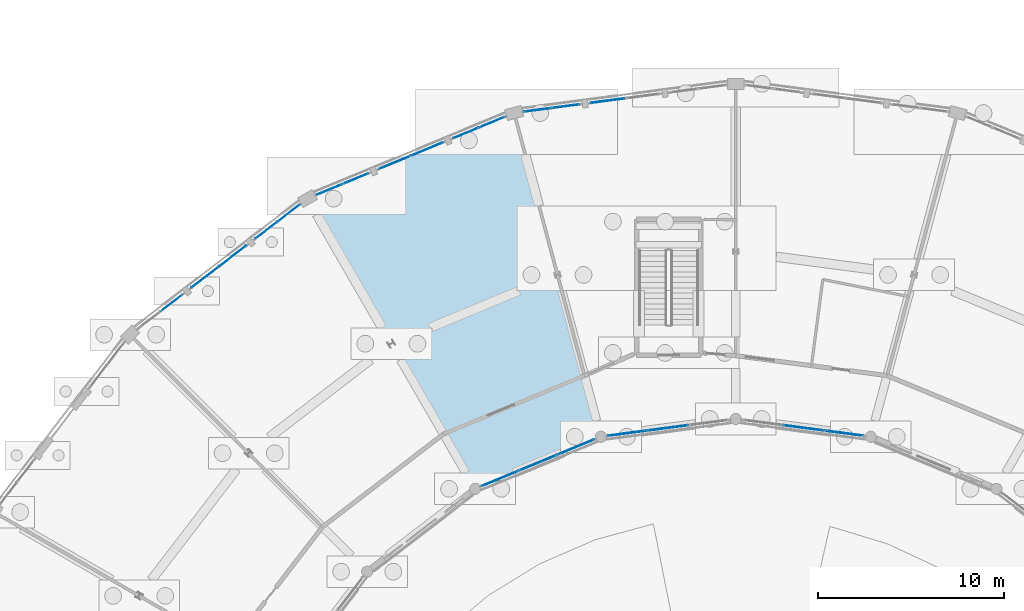
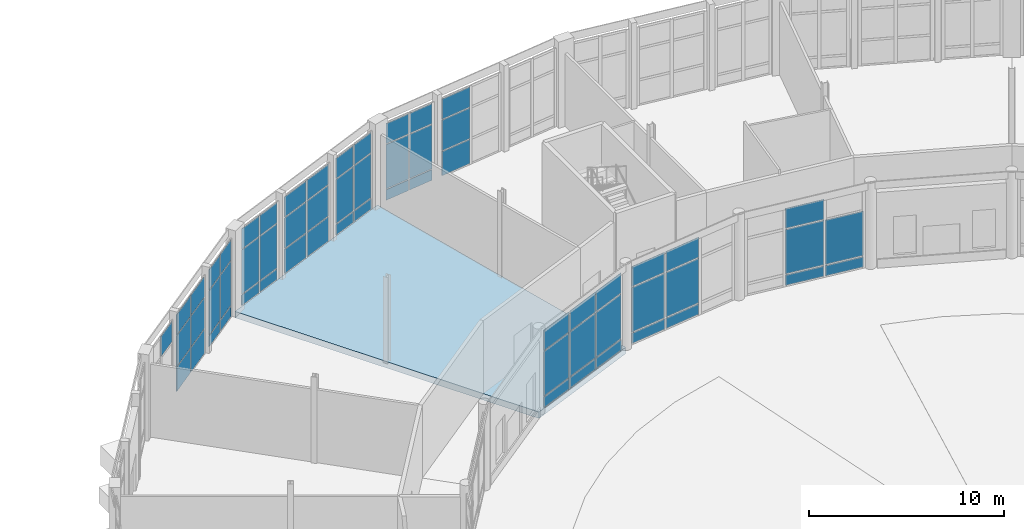
# One storey, part 90 of 137: 60 plates, 1 slab, 11 elements without a shape of their own.
"""IFC4 building model written with IfcOpenShell, lengths in metres."""

from ifc_helpers import new_model, si_unit, direction, frame, origin, origin_2d, place, context, subcontext, project, spatial, polyline, rectangle, outline, extrude, material, layer, layer_set, type_object, element, aggregate, save


model = new_model("IFC4")

# Units and contexts
model_context = context("Model", 3, precision=1e-05, world=origin(), true_north=direction((0.0, 1.0)))
body_context = subcontext(model_context, "Body", "Model", "MODEL_VIEW")
ifc_project = project(units=[si_unit("LENGTHUNIT", "METRE"), si_unit("AREAUNIT", "SQUARE_METRE"), si_unit("VOLUMEUNIT", "CUBIC_METRE"), si_unit("PLANEANGLEUNIT", "RADIAN"), si_unit("MASSUNIT", "GRAM", prefix="KILO")], contexts=[model_context])

# Site, building, storey
site_placement = place(None, origin())
site = spatial("IfcSite", under=ifc_project, at=site_placement, CompositionType="ELEMENT")
building_placement = place(site_placement, origin())
building = spatial("IfcBuilding", under=site, at=building_placement, Name="Vondelvale Polytechnic", CompositionType="ELEMENT")
storey_placement = place(building_placement, origin())
storey = spatial("IfcBuildingStorey", under=building, at=storey_placement, Name="L00", CompositionType="ELEMENT", Elevation=0.0)

# Curtain wall, plates
ifc_material_1 = material(Name="Anodised extruded aluminium 6063-T6", Category="aluminium")
curtain_wall_type_1 = type_object("IfcCurtainWallType", Name="CW-RING-CLOISTER", PredefinedType="NOTDEFINED", material=ifc_material_1)
curtain_wall_1_placement = place(storey_placement, origin())
curtain_wall_1 = element("IfcCurtainWall", 1, at=curtain_wall_1_placement, inside=storey, type_object=curtain_wall_type_1, Name="L00 architectural curtain wall CW-03-131", PredefinedType="NOTDEFINED")
ifc_material_2 = material(Name="Double-glazed low-E insulated architectural glass", Category="glass")
ifc_layer_1 = layer(ifc_material_2, 0.028076171875)
ifc_layer_set_1 = layer_set([ifc_layer_1], Name="CW-PANEL-GLAZED")
plate_type_1 = type_object("IfcPlateType", Name="CW-PANEL-GLAZED", PredefinedType="CURTAIN_PANEL", material=ifc_layer_set_1)
plate_1_placement = place(storey_placement, frame((107.804443359375, 99.23583984375, 0.78271484375), z_axis=(0.0, 0.0, 1.0), x_axis=(-0.99144462243, 0.130528007165, 0.0)))
plate_1 = element("IfcPlate", 2, at=plate_1_placement, type_object=plate_type_1, Name="CW-03-131 panel 1.2", PredefinedType="CURTAIN_PANEL", context=body_context, shape_type="SweptSolid", body=[
    extrude(rectangle(XDim=2.1123046875, YDim=0.028076171875, at=origin_2d()), origin(), (0.0, 0.0, 1.0), 2.784912109375),
])
plate_2_placement = place(storey_placement, frame((105.62353515625, 99.52294921875, 0.78271484375), z_axis=(0.0, 0.0, 1.0), x_axis=(-0.99144462243, 0.130528007165, 0.0)))
plate_2 = element("IfcPlate", 3, at=plate_2_placement, type_object=plate_type_1, Name="CW-03-131 panel 2.2", PredefinedType="CURTAIN_PANEL", context=body_context, shape_type="SweptSolid", body=[
    extrude(rectangle(XDim=2.1474609375, YDim=0.028076171875, at=origin_2d()), origin(), (0.0, 0.0, 1.0), 2.784912109375),
])
plate_3_placement = place(storey_placement, frame((105.62353515625, 99.52294921875, 3.632568359375), z_axis=(0.0, 0.0, 1.0), x_axis=(-0.99144462243, 0.130528007165, 0.0)))
plate_3 = element("IfcPlate", 4, at=plate_3_placement, type_object=plate_type_1, Name="CW-03-131 panel 2.3", PredefinedType="CURTAIN_PANEL", context=body_context, shape_type="SweptSolid", body=[
    extrude(rectangle(XDim=2.1474609375, YDim=0.028076171875, at=origin_2d()), origin(), (0.0, 0.0, 1.0), 1.25244140625),
])

curtain_wall_2_placement = place(storey_placement, origin())
curtain_wall_2 = element("IfcCurtainWall", 5, at=curtain_wall_2_placement, inside=storey, type_object=curtain_wall_type_1, Name="L00 architectural curtain wall CW-03-151", PredefinedType="NOTDEFINED")
plate_4_placement = place(storey_placement, frame((98.37646484375, 99.52294921875, 0.78271484375), z_axis=(0.0, 0.0, 1.0), x_axis=(-0.99144462243, -0.130528007165, 0.0)))
plate_4 = element("IfcPlate", 6, at=plate_4_placement, type_object=plate_type_1, Name="CW-03-151 panel 2.2", PredefinedType="CURTAIN_PANEL", context=body_context, shape_type="SweptSolid", body=[
    extrude(rectangle(XDim=2.1474609375, YDim=0.028076171875, at=origin_2d()), origin(), (0.0, 0.0, 1.0), 2.784912109375),
])
plate_5_placement = place(storey_placement, frame((98.37646484375, 99.52294921875, 3.632568359375), z_axis=(0.0, 0.0, 1.0), x_axis=(-0.99144462243, -0.130528007165, 0.0)))
plate_5 = element("IfcPlate", 7, at=plate_5_placement, type_object=plate_type_1, Name="CW-03-151 panel 2.3", PredefinedType="CURTAIN_PANEL", context=body_context, shape_type="SweptSolid", body=[
    extrude(rectangle(XDim=2.1474609375, YDim=0.028076171875, at=origin_2d()), origin(), (0.0, 0.0, 1.0), 1.25244140625),
])
plate_6_placement = place(storey_placement, frame((96.195556640625, 99.23583984375, 0.78271484375), z_axis=(0.0, 0.0, 1.0), x_axis=(-0.99144462243, -0.130528007165, 0.0)))
plate_6 = element("IfcPlate", 8, at=plate_6_placement, type_object=plate_type_1, Name="CW-03-151 panel 3.2", PredefinedType="CURTAIN_PANEL", context=body_context, shape_type="SweptSolid", body=[
    extrude(rectangle(XDim=2.1123046875, YDim=0.028076171875, at=origin_2d()), origin(), (0.0, 0.0, 1.0), 2.784912109375),
])
plate_7_placement = place(storey_placement, frame((96.195556640625, 99.23583984375, 3.632568359375), z_axis=(0.0, 0.0, 1.0), x_axis=(-0.99144462243, -0.130528007165, 0.0)))
plate_7 = element("IfcPlate", 9, at=plate_7_placement, type_object=plate_type_1, Name="CW-03-151 panel 3.3", PredefinedType="CURTAIN_PANEL", context=body_context, shape_type="SweptSolid", body=[
    extrude(rectangle(XDim=2.1123046875, YDim=0.028076171875, at=origin_2d()), origin(), (0.0, 0.0, 1.0), 1.25244140625),
])

ifc_material_3 = material(Name="Glulam GL18 structural Tasmanian oak (fb = 42 MPa)", Category="wood")
curtain_wall_type_2 = type_object("IfcCurtainWallType", Name="CW-RING-OUTER", PredefinedType="NOTDEFINED", material=ifc_material_3)
curtain_wall_3_placement = place(storey_placement, origin())
curtain_wall_3 = element("IfcCurtainWall", 10, at=curtain_wall_3_placement, inside=storey, type_object=curtain_wall_type_2, Name="L00 architectural curtain wall CW-04-154", PredefinedType="NOTDEFINED")
plate_8_placement = place(storey_placement, frame((92.865966796875, 116.797607421875, 0.77978515625), z_axis=(0.0, 0.0, 1.0), x_axis=(-0.991445190781, -0.130523690099, 0.0)))
plate_8 = element("IfcPlate", 11, at=plate_8_placement, type_object=plate_type_1, Name="CW-04-154 panel 1.2", PredefinedType="CURTAIN_PANEL", context=body_context, shape_type="SweptSolid", body=[
    extrude(rectangle(XDim=1.454345703125, YDim=0.028076171875, at=origin_2d()), origin(), (0.0, 0.0, 1.0), 2.760009765625),
])
plate_9_placement = place(storey_placement, frame((92.865966796875, 116.797607421875, 3.60009765625), z_axis=(0.0, 0.0, 1.0), x_axis=(-0.991445190781, -0.130523690099, 0.0)))
plate_9 = element("IfcPlate", 12, at=plate_9_placement, type_object=plate_type_1, Name="CW-04-154 panel 1.3", PredefinedType="CURTAIN_PANEL", context=body_context, shape_type="SweptSolid", body=[
    extrude(rectangle(XDim=1.454345703125, YDim=0.028076171875, at=origin_2d()), origin(), (0.0, 0.0, 1.0), 1.260009765625),
])
plate_10_placement = place(storey_placement, frame((91.359619140625, 116.59912109375, 0.77978515625), z_axis=(0.0, 0.0, 1.0), x_axis=(-0.991445190781, -0.130523690099, 0.0)))
plate_10 = element("IfcPlate", 13, at=plate_10_placement, type_object=plate_type_1, Name="CW-04-154 panel 2.2", PredefinedType="CURTAIN_PANEL", context=body_context, shape_type="SweptSolid", body=[
    extrude(rectangle(XDim=1.454345703125, YDim=0.028076171875, at=origin_2d()), origin(), (0.0, 0.0, 1.0), 2.760009765625),
])
plate_11_placement = place(storey_placement, frame((91.359619140625, 116.59912109375, 3.60009765625), z_axis=(0.0, 0.0, 1.0), x_axis=(-0.991445190781, -0.130523690099, 0.0)))
plate_11 = element("IfcPlate", 14, at=plate_11_placement, type_object=plate_type_1, Name="CW-04-154 panel 2.3", PredefinedType="CURTAIN_PANEL", context=body_context, shape_type="SweptSolid", body=[
    extrude(rectangle(XDim=1.454345703125, YDim=0.028076171875, at=origin_2d()), origin(), (0.0, 0.0, 1.0), 1.260009765625),
])

curtain_wall_4_placement = place(storey_placement, origin())
curtain_wall_4 = element("IfcCurtainWall", 15, at=curtain_wall_4_placement, inside=storey, type_object=curtain_wall_type_1, Name="L00 architectural curtain wall CW-03-171", PredefinedType="NOTDEFINED")
plate_12_placement = place(storey_placement, frame((93.408203125, 98.48876953125, 0.78271484375), z_axis=(0.0, 0.0, 1.0), x_axis=(-0.923881562419, -0.382678531697, 0.0)))
plate_12 = element("IfcPlate", 16, at=plate_12_placement, type_object=plate_type_1, Name="CW-03-171 panel 1.2", PredefinedType="CURTAIN_PANEL", context=body_context, shape_type="SweptSolid", body=[
    extrude(rectangle(XDim=2.111572265625, YDim=0.028076171875, at=origin_2d()), origin(), (0.0, 0.0, 1.0), 2.784912109375),
])
plate_13_placement = place(storey_placement, frame((93.408203125, 98.48876953125, 3.632568359375), z_axis=(0.0, 0.0, 1.0), x_axis=(-0.923881562419, -0.382678531697, 0.0)))
plate_13 = element("IfcPlate", 17, at=plate_13_placement, type_object=plate_type_1, Name="CW-03-171 panel 1.3", PredefinedType="CURTAIN_PANEL", context=body_context, shape_type="SweptSolid", body=[
    extrude(rectangle(XDim=2.111572265625, YDim=0.028076171875, at=origin_2d()), origin(), (0.0, 0.0, 1.0), 1.25244140625),
])
plate_14_placement = place(storey_placement, frame((91.37646484375, 97.647216796875, 0.78271484375), z_axis=(0.0, 0.0, 1.0), x_axis=(-0.923881562419, -0.382678531697, 0.0)))
plate_14 = element("IfcPlate", 18, at=plate_14_placement, type_object=plate_type_1, Name="CW-03-171 panel 2.2", PredefinedType="CURTAIN_PANEL", context=body_context, shape_type="SweptSolid", body=[
    extrude(rectangle(XDim=2.146484375, YDim=0.028076171875, at=origin_2d()), origin(), (0.0, 0.0, 1.0), 2.784912109375),
])
plate_15_placement = place(storey_placement, frame((91.37646484375, 97.647216796875, 3.632568359375), z_axis=(0.0, 0.0, 1.0), x_axis=(-0.923881562419, -0.382678531697, 0.0)))
plate_15 = element("IfcPlate", 19, at=plate_15_placement, type_object=plate_type_1, Name="CW-03-171 panel 2.3", PredefinedType="CURTAIN_PANEL", context=body_context, shape_type="SweptSolid", body=[
    extrude(rectangle(XDim=2.146484375, YDim=0.028076171875, at=origin_2d()), origin(), (0.0, 0.0, 1.0), 1.25244140625),
])
plate_16_placement = place(storey_placement, frame((89.344970703125, 96.805908203125, 0.78271484375), z_axis=(0.0, 0.0, 1.0), x_axis=(-0.923881562419, -0.382678531697, 0.0)))
plate_16 = element("IfcPlate", 20, at=plate_16_placement, type_object=plate_type_1, Name="CW-03-171 panel 3.2", PredefinedType="CURTAIN_PANEL", context=body_context, shape_type="SweptSolid", body=[
    extrude(rectangle(XDim=2.111572265625, YDim=0.028076171875, at=origin_2d()), origin(), (0.0, 0.0, 1.0), 2.784912109375),
])
plate_17_placement = place(storey_placement, frame((89.344970703125, 96.805908203125, 3.632568359375), z_axis=(0.0, 0.0, 1.0), x_axis=(-0.923881562419, -0.382678531697, 0.0)))
plate_17 = element("IfcPlate", 21, at=plate_17_placement, type_object=plate_type_1, Name="CW-03-171 panel 3.3", PredefinedType="CURTAIN_PANEL", context=body_context, shape_type="SweptSolid", body=[
    extrude(rectangle(XDim=2.111572265625, YDim=0.028076171875, at=origin_2d()), origin(), (0.0, 0.0, 1.0), 1.25244140625),
])

curtain_wall_5_placement = place(storey_placement, origin())
curtain_wall_5 = element("IfcCurtainWall", 22, at=curtain_wall_5_placement, inside=storey, type_object=curtain_wall_type_2, Name="L00 architectural curtain wall CW-04-172", PredefinedType="NOTDEFINED")
plate_18_placement = place(storey_placement, frame((88.915283203125, 115.9443359375, 0.77978515625), z_axis=(0.0, 0.0, 1.0), x_axis=(-0.92388135159, -0.382679040691, 0.0)))
plate_18 = element("IfcPlate", 23, at=plate_18_placement, type_object=plate_type_1, Name="CW-04-172 panel 1.2", PredefinedType="CURTAIN_PANEL", context=body_context, shape_type="SweptSolid", body=[
    extrude(rectangle(XDim=1.454345703125, YDim=0.028076171875, at=origin_2d()), origin(), (0.0, 0.0, 1.0), 2.760009765625),
])
plate_19_placement = place(storey_placement, frame((88.915283203125, 115.9443359375, 3.60009765625), z_axis=(0.0, 0.0, 1.0), x_axis=(-0.92388135159, -0.382679040691, 0.0)))
plate_19 = element("IfcPlate", 24, at=plate_19_placement, type_object=plate_type_1, Name="CW-04-172 panel 1.3", PredefinedType="CURTAIN_PANEL", context=body_context, shape_type="SweptSolid", body=[
    extrude(rectangle(XDim=1.454345703125, YDim=0.028076171875, at=origin_2d()), origin(), (0.0, 0.0, 1.0), 1.260009765625),
])
plate_20_placement = place(storey_placement, frame((87.511474609375, 115.36279296875, 0.77978515625), z_axis=(0.0, 0.0, 1.0), x_axis=(-0.92388135159, -0.382679040691, 0.0)))
plate_20 = element("IfcPlate", 25, at=plate_20_placement, type_object=plate_type_1, Name="CW-04-172 panel 2.2", PredefinedType="CURTAIN_PANEL", context=body_context, shape_type="SweptSolid", body=[
    extrude(rectangle(XDim=1.454345703125, YDim=0.028076171875, at=origin_2d()), origin(), (0.0, 0.0, 1.0), 2.760009765625),
])
plate_21_placement = place(storey_placement, frame((87.511474609375, 115.36279296875, 3.60009765625), z_axis=(0.0, 0.0, 1.0), x_axis=(-0.92388135159, -0.382679040691, 0.0)))
plate_21 = element("IfcPlate", 26, at=plate_21_placement, type_object=plate_type_1, Name="CW-04-172 panel 2.3", PredefinedType="CURTAIN_PANEL", context=body_context, shape_type="SweptSolid", body=[
    extrude(rectangle(XDim=1.454345703125, YDim=0.028076171875, at=origin_2d()), origin(), (0.0, 0.0, 1.0), 1.260009765625),
])

curtain_wall_6_placement = place(storey_placement, origin())
curtain_wall_6 = element("IfcCurtainWall", 27, at=curtain_wall_6_placement, inside=storey, type_object=curtain_wall_type_2, Name="L00 architectural curtain wall CW-04-173", PredefinedType="NOTDEFINED")
plate_22_placement = place(storey_placement, frame((85.412841796875, 114.493408203125, 1.6298828125), z_axis=(0.0, 0.0, 1.0), x_axis=(-0.92387490701, -0.382694599123, 0.0)))
plate_22 = element("IfcPlate", 28, at=plate_22_placement, type_object=plate_type_1, Name="CW-04-173 panel 1.2", PredefinedType="CURTAIN_PANEL", context=body_context, shape_type="SweptSolid", body=[
    extrude(rectangle(XDim=1.80908203125, YDim=0.028076171875, at=origin_2d()), origin(), (0.0, 0.0, 1.0), 1.909912109375),
])
plate_23_placement = place(storey_placement, frame((85.412841796875, 114.493408203125, 3.60009765625), z_axis=(0.0, 0.0, 1.0), x_axis=(-0.92387490701, -0.382694599123, 0.0)))
plate_23 = element("IfcPlate", 29, at=plate_23_placement, type_object=plate_type_1, Name="CW-04-173 panel 1.3", PredefinedType="CURTAIN_PANEL", context=body_context, shape_type="SweptSolid", body=[
    extrude(rectangle(XDim=1.80908203125, YDim=0.028076171875, at=origin_2d()), origin(), (0.0, 0.0, 1.0), 1.260009765625),
])
plate_24_placement = place(storey_placement, frame((83.681396484375, 113.7763671875, 1.6298828125), z_axis=(0.0, 0.0, 1.0), x_axis=(-0.92387490701, -0.382694599123, 0.0)))
plate_24 = element("IfcPlate", 30, at=plate_24_placement, type_object=plate_type_1, Name="CW-04-173 panel 2.2", PredefinedType="CURTAIN_PANEL", context=body_context, shape_type="SweptSolid", body=[
    extrude(rectangle(XDim=1.80908203125, YDim=0.028076171875, at=origin_2d()), origin(), (0.0, 0.0, 1.0), 1.909912109375),
])
plate_25_placement = place(storey_placement, frame((83.681396484375, 113.7763671875, 3.60009765625), z_axis=(0.0, 0.0, 1.0), x_axis=(-0.92387490701, -0.382694599123, 0.0)))
plate_25 = element("IfcPlate", 31, at=plate_25_placement, type_object=plate_type_1, Name="CW-04-173 panel 2.3", PredefinedType="CURTAIN_PANEL", context=body_context, shape_type="SweptSolid", body=[
    extrude(rectangle(XDim=1.80908203125, YDim=0.028076171875, at=origin_2d()), origin(), (0.0, 0.0, 1.0), 1.260009765625),
])

curtain_wall_7_placement = place(storey_placement, origin())
curtain_wall_7 = element("IfcCurtainWall", 32, at=curtain_wall_7_placement, inside=storey, type_object=curtain_wall_type_2, Name="L00 architectural curtain wall CW-04-174", PredefinedType="NOTDEFINED")
plate_26_placement = place(storey_placement, frame((81.582763671875, 112.906982421875, 0.77978515625), z_axis=(0.0, 0.0, 1.0), x_axis=(-0.92388135159, -0.382679040691, 0.0)))
plate_26 = element("IfcPlate", 33, at=plate_26_placement, type_object=plate_type_1, Name="CW-04-174 panel 1.2", PredefinedType="CURTAIN_PANEL", context=body_context, shape_type="SweptSolid", body=[
    extrude(rectangle(XDim=1.454345703125, YDim=0.028076171875, at=origin_2d()), origin(), (0.0, 0.0, 1.0), 2.760009765625),
])
plate_27_placement = place(storey_placement, frame((81.582763671875, 112.906982421875, 3.60009765625), z_axis=(0.0, 0.0, 1.0), x_axis=(-0.92388135159, -0.382679040691, 0.0)))
plate_27 = element("IfcPlate", 34, at=plate_27_placement, type_object=plate_type_1, Name="CW-04-174 panel 1.3", PredefinedType="CURTAIN_PANEL", context=body_context, shape_type="SweptSolid", body=[
    extrude(rectangle(XDim=1.454345703125, YDim=0.028076171875, at=origin_2d()), origin(), (0.0, 0.0, 1.0), 1.260009765625),
])
plate_28_placement = place(storey_placement, frame((80.178955078125, 112.325439453125, 0.77978515625), z_axis=(0.0, 0.0, 1.0), x_axis=(-0.92388135159, -0.382679040691, 0.0)))
plate_28 = element("IfcPlate", 35, at=plate_28_placement, type_object=plate_type_1, Name="CW-04-174 panel 2.2", PredefinedType="CURTAIN_PANEL", context=body_context, shape_type="SweptSolid", body=[
    extrude(rectangle(XDim=1.454345703125, YDim=0.028076171875, at=origin_2d()), origin(), (0.0, 0.0, 1.0), 2.760009765625),
])
plate_29_placement = place(storey_placement, frame((80.178955078125, 112.325439453125, 3.60009765625), z_axis=(0.0, 0.0, 1.0), x_axis=(-0.92388135159, -0.382679040691, 0.0)))
plate_29 = element("IfcPlate", 36, at=plate_29_placement, type_object=plate_type_1, Name="CW-04-174 panel 2.3", PredefinedType="CURTAIN_PANEL", context=body_context, shape_type="SweptSolid", body=[
    extrude(rectangle(XDim=1.454345703125, YDim=0.028076171875, at=origin_2d()), origin(), (0.0, 0.0, 1.0), 1.260009765625),
])

curtain_wall_8_placement = place(storey_placement, origin())
curtain_wall_8 = element("IfcCurtainWall", 37, at=curtain_wall_8_placement, inside=storey, type_object=curtain_wall_type_2, Name="L00 architectural curtain wall CW-04-191", PredefinedType="NOTDEFINED")
plate_30_placement = place(storey_placement, frame((77.987548828125, 111.060302734375, 0.77978515625), z_axis=(0.0, 0.0, 1.0), x_axis=(-0.793351666305, -0.608763610584, 0.0)))
plate_30 = element("IfcPlate", 38, at=plate_30_placement, type_object=plate_type_1, Name="CW-04-191 panel 1.2", PredefinedType="CURTAIN_PANEL", context=body_context, shape_type="SweptSolid", body=[
    extrude(rectangle(XDim=1.454345703125, YDim=0.028076171875, at=origin_2d()), origin(), (0.0, 0.0, 1.0), 2.760009765625),
])
plate_31_placement = place(storey_placement, frame((77.987548828125, 111.060302734375, 3.60009765625), z_axis=(0.0, 0.0, 1.0), x_axis=(-0.793351666305, -0.608763610584, 0.0)))
plate_31 = element("IfcPlate", 39, at=plate_31_placement, type_object=plate_type_1, Name="CW-04-191 panel 1.3", PredefinedType="CURTAIN_PANEL", context=body_context, shape_type="SweptSolid", body=[
    extrude(rectangle(XDim=1.454345703125, YDim=0.028076171875, at=origin_2d()), origin(), (0.0, 0.0, 1.0), 1.260009765625),
])
plate_32_placement = place(storey_placement, frame((76.7822265625, 110.13525390625, 0.77978515625), z_axis=(0.0, 0.0, 1.0), x_axis=(-0.793351666305, -0.608763610584, 0.0)))
plate_32 = element("IfcPlate", 40, at=plate_32_placement, type_object=plate_type_1, Name="CW-04-191 panel 2.2", PredefinedType="CURTAIN_PANEL", context=body_context, shape_type="SweptSolid", body=[
    extrude(rectangle(XDim=1.454345703125, YDim=0.028076171875, at=origin_2d()), origin(), (0.0, 0.0, 1.0), 2.760009765625),
])
plate_33_placement = place(storey_placement, frame((76.7822265625, 110.13525390625, 3.60009765625), z_axis=(0.0, 0.0, 1.0), x_axis=(-0.793351666305, -0.608763610584, 0.0)))
plate_33 = element("IfcPlate", 41, at=plate_33_placement, type_object=plate_type_1, Name="CW-04-191 panel 2.3", PredefinedType="CURTAIN_PANEL", context=body_context, shape_type="SweptSolid", body=[
    extrude(rectangle(XDim=1.454345703125, YDim=0.028076171875, at=origin_2d()), origin(), (0.0, 0.0, 1.0), 1.260009765625),
])

# Curtain wall, plate
curtain_wall_9_placement = place(storey_placement, origin())
curtain_wall_9 = element("IfcCurtainWall", 42, at=curtain_wall_9_placement, inside=storey, type_object=curtain_wall_type_2, Name="L00 architectural curtain wall CW-04-193", PredefinedType="NOTDEFINED")
plate_34_placement = place(storey_placement, frame((71.69091796875, 106.228759765625, 3.60009765625), z_axis=(0.0, 0.0, 1.0), x_axis=(-0.793351666305, -0.608763610584, 0.0)))
plate_34 = element("IfcPlate", 43, at=plate_34_placement, type_object=plate_type_1, Name="CW-04-193 panel 1.3", PredefinedType="CURTAIN_PANEL", context=body_context, shape_type="SweptSolid", body=[
    extrude(rectangle(XDim=1.454345703125, YDim=0.028076171875, at=origin_2d()), origin(), (0.0, 0.0, 1.0), 1.260009765625),
])
aggregate(curtain_wall_9, [plate_34])

# Plate
ifc_material_4 = material(Name="Engineered Tasmanian oak studio and bridge joinery")
ifc_layer_2 = layer(ifc_material_4, 0.0419921875)
ifc_layer_set_2 = layer_set([ifc_layer_2], Name="CW-PANEL-OAK")
plate_type_2 = type_object("IfcPlateType", Name="CW-PANEL-OAK", PredefinedType="CURTAIN_PANEL", material=ifc_layer_set_2)
plate_35_placement = place(storey_placement, frame((107.804443359375, 99.23583984375, 0.06494140625), z_axis=(0.0, 0.0, 1.0), x_axis=(-0.99144462243, 0.130528007165, 0.0)))
plate_35 = element("IfcPlate", 44, at=plate_35_placement, type_object=plate_type_2, Name="CW-03-131 panel 1.1", PredefinedType="CURTAIN_PANEL", context=body_context, shape_type="SweptSolid", body=[
    extrude(rectangle(XDim=2.1123046875, YDim=0.0419921875, at=origin_2d()), origin(), (0.0, 0.0, 1.0), 0.652587890625),
])

plate_36_placement = place(storey_placement, frame((105.62353515625, 99.52294921875, 0.06494140625), z_axis=(0.0, 0.0, 1.0), x_axis=(-0.99144462243, 0.130528007165, 0.0)))
plate_36 = element("IfcPlate", 45, at=plate_36_placement, type_object=plate_type_2, Name="CW-03-131 panel 2.1", PredefinedType="CURTAIN_PANEL", context=body_context, shape_type="SweptSolid", body=[
    extrude(rectangle(XDim=2.1474609375, YDim=0.0419921875, at=origin_2d()), origin(), (0.0, 0.0, 1.0), 0.652587890625),
])

aggregate(curtain_wall_1, [plate_35, plate_1, plate_36, plate_2, plate_3])

plate_37_placement = place(storey_placement, frame((98.37646484375, 99.52294921875, 0.06494140625), z_axis=(0.0, 0.0, 1.0), x_axis=(-0.99144462243, -0.130528007165, 0.0)))
plate_37 = element("IfcPlate", 46, at=plate_37_placement, type_object=plate_type_2, Name="CW-03-151 panel 2.1", PredefinedType="CURTAIN_PANEL", context=body_context, shape_type="SweptSolid", body=[
    extrude(rectangle(XDim=2.1474609375, YDim=0.0419921875, at=origin_2d()), origin(), (0.0, 0.0, 1.0), 0.652587890625),
])

plate_38_placement = place(storey_placement, frame((96.195556640625, 99.23583984375, 0.06494140625), z_axis=(0.0, 0.0, 1.0), x_axis=(-0.99144462243, -0.130528007165, 0.0)))
plate_38 = element("IfcPlate", 47, at=plate_38_placement, type_object=plate_type_2, Name="CW-03-151 panel 3.1", PredefinedType="CURTAIN_PANEL", context=body_context, shape_type="SweptSolid", body=[
    extrude(rectangle(XDim=2.1123046875, YDim=0.0419921875, at=origin_2d()), origin(), (0.0, 0.0, 1.0), 0.652587890625),
])

aggregate(curtain_wall_2, [plate_37, plate_4, plate_5, plate_38, plate_6, plate_7])

# Curtain wall, plates
curtain_wall_10_placement = place(storey_placement, origin())
curtain_wall_10 = element("IfcCurtainWall", 48, at=curtain_wall_10_placement, inside=storey, type_object=curtain_wall_type_2, Name="L00 architectural curtain wall CW-04-153", PredefinedType="NOTDEFINED")
plate_39_placement = place(storey_placement, frame((95.1181640625, 117.093994140625, 0.06005859375), z_axis=(0.0, 0.0, 1.0), x_axis=(-0.991448671082, -0.130497251349, 0.0)))
plate_39 = element("IfcPlate", 49, at=plate_39_placement, type_object=plate_type_2, Name="CW-04-153 panel 2.1", PredefinedType="CURTAIN_PANEL", context=body_context, shape_type="SweptSolid", body=[
    extrude(rectangle(XDim=1.80908203125, YDim=0.0419921875, at=origin_2d()), origin(), (0.0, 0.0, 1.0), 1.510009765625),
])
plate_40_placement = place(storey_placement, frame((95.1181640625, 117.093994140625, 1.6298828125), z_axis=(0.0, 0.0, 1.0), x_axis=(-0.991448671082, -0.130497251349, 0.0)))
plate_40 = element("IfcPlate", 50, at=plate_40_placement, type_object=plate_type_2, Name="CW-04-153 panel 2.2", PredefinedType="CURTAIN_PANEL", context=body_context, shape_type="SweptSolid", body=[
    extrude(rectangle(XDim=1.80908203125, YDim=0.0419921875, at=origin_2d()), origin(), (0.0, 0.0, 1.0), 1.909912109375),
])
plate_41_placement = place(storey_placement, frame((95.1181640625, 117.093994140625, 3.60009765625), z_axis=(0.0, 0.0, 1.0), x_axis=(-0.991448671082, -0.130497251349, 0.0)))
plate_41 = element("IfcPlate", 51, at=plate_41_placement, type_object=plate_type_2, Name="CW-04-153 panel 2.3", PredefinedType="CURTAIN_PANEL", context=body_context, shape_type="SweptSolid", body=[
    extrude(rectangle(XDim=1.80908203125, YDim=0.0419921875, at=origin_2d()), origin(), (0.0, 0.0, 1.0), 1.260009765625),
])
aggregate(curtain_wall_10, [plate_39, plate_40, plate_41])

# Plate
plate_42_placement = place(storey_placement, frame((93.408203125, 98.48876953125, 0.06494140625), z_axis=(0.0, 0.0, 1.0), x_axis=(-0.923881562419, -0.382678531697, 0.0)))
plate_42 = element("IfcPlate", 52, at=plate_42_placement, type_object=plate_type_2, Name="CW-03-171 panel 1.1", PredefinedType="CURTAIN_PANEL", context=body_context, shape_type="SweptSolid", body=[
    extrude(rectangle(XDim=2.111572265625, YDim=0.0419921875, at=origin_2d()), origin(), (0.0, 0.0, 1.0), 0.652587890625),
])

plate_43_placement = place(storey_placement, frame((91.37646484375, 97.647216796875, 0.06494140625), z_axis=(0.0, 0.0, 1.0), x_axis=(-0.923881562419, -0.382678531697, 0.0)))
plate_43 = element("IfcPlate", 53, at=plate_43_placement, type_object=plate_type_2, Name="CW-03-171 panel 2.1", PredefinedType="CURTAIN_PANEL", context=body_context, shape_type="SweptSolid", body=[
    extrude(rectangle(XDim=2.146484375, YDim=0.0419921875, at=origin_2d()), origin(), (0.0, 0.0, 1.0), 0.652587890625),
])

plate_44_placement = place(storey_placement, frame((89.344970703125, 96.805908203125, 0.06494140625), z_axis=(0.0, 0.0, 1.0), x_axis=(-0.923881562419, -0.382678531697, 0.0)))
plate_44 = element("IfcPlate", 54, at=plate_44_placement, type_object=plate_type_2, Name="CW-03-171 panel 3.1", PredefinedType="CURTAIN_PANEL", context=body_context, shape_type="SweptSolid", body=[
    extrude(rectangle(XDim=2.111572265625, YDim=0.0419921875, at=origin_2d()), origin(), (0.0, 0.0, 1.0), 0.652587890625),
])

aggregate(curtain_wall_4, [plate_42, plate_12, plate_13, plate_43, plate_14, plate_15, plate_44, plate_16, plate_17])

plate_45_placement = place(storey_placement, frame((85.412841796875, 114.493408203125, 0.06005859375), z_axis=(0.0, 0.0, 1.0), x_axis=(-0.92387490701, -0.382694599123, 0.0)))
plate_45 = element("IfcPlate", 55, at=plate_45_placement, type_object=plate_type_2, Name="CW-04-173 panel 1.1", PredefinedType="CURTAIN_PANEL", context=body_context, shape_type="SweptSolid", body=[
    extrude(rectangle(XDim=1.80908203125, YDim=0.0419921875, at=origin_2d()), origin(), (0.0, 0.0, 1.0), 1.510009765625),
])

plate_46_placement = place(storey_placement, frame((83.681396484375, 113.7763671875, 0.06005859375), z_axis=(0.0, 0.0, 1.0), x_axis=(-0.92387490701, -0.382694599123, 0.0)))
plate_46 = element("IfcPlate", 56, at=plate_46_placement, type_object=plate_type_2, Name="CW-04-173 panel 2.1", PredefinedType="CURTAIN_PANEL", context=body_context, shape_type="SweptSolid", body=[
    extrude(rectangle(XDim=1.80908203125, YDim=0.0419921875, at=origin_2d()), origin(), (0.0, 0.0, 1.0), 1.510009765625),
])

aggregate(curtain_wall_6, [plate_45, plate_22, plate_23, plate_46, plate_24, plate_25])

# Curtain wall, plates
curtain_wall_11_placement = place(storey_placement, origin())
curtain_wall_11 = element("IfcCurtainWall", 57, at=curtain_wall_11_placement, inside=storey, type_object=curtain_wall_type_2, Name="L00 architectural curtain wall CW-04-192", PredefinedType="NOTDEFINED")
plate_47_placement = place(storey_placement, frame((74.97998046875, 108.75244140625, 0.06005859375), z_axis=(0.0, 0.0, 1.0), x_axis=(-0.793345851043, -0.608771189063, 0.0)))
plate_47 = element("IfcPlate", 58, at=plate_47_placement, type_object=plate_type_2, Name="CW-04-192 panel 1.1", PredefinedType="CURTAIN_PANEL", context=body_context, shape_type="SweptSolid", body=[
    extrude(rectangle(XDim=1.80908203125, YDim=0.0419921875, at=origin_2d()), origin(), (0.0, 0.0, 1.0), 1.510009765625),
])
plate_48_placement = place(storey_placement, frame((74.97998046875, 108.75244140625, 1.6298828125), z_axis=(0.0, 0.0, 1.0), x_axis=(-0.793345851043, -0.608771189063, 0.0)))
plate_48 = element("IfcPlate", 59, at=plate_48_placement, type_object=plate_type_2, Name="CW-04-192 panel 1.2", PredefinedType="CURTAIN_PANEL", context=body_context, shape_type="SweptSolid", body=[
    extrude(rectangle(XDim=1.80908203125, YDim=0.0419921875, at=origin_2d()), origin(), (0.0, 0.0, 1.0), 1.909912109375),
])
plate_49_placement = place(storey_placement, frame((74.97998046875, 108.75244140625, 3.60009765625), z_axis=(0.0, 0.0, 1.0), x_axis=(-0.793345851043, -0.608771189063, 0.0)))
plate_49 = element("IfcPlate", 60, at=plate_49_placement, type_object=plate_type_2, Name="CW-04-192 panel 1.3", PredefinedType="CURTAIN_PANEL", context=body_context, shape_type="SweptSolid", body=[
    extrude(rectangle(XDim=1.80908203125, YDim=0.0419921875, at=origin_2d()), origin(), (0.0, 0.0, 1.0), 1.260009765625),
])
plate_50_placement = place(storey_placement, frame((73.4931640625, 107.611572265625, 0.06005859375), z_axis=(0.0, 0.0, 1.0), x_axis=(-0.793345851043, -0.608771189063, 0.0)))
plate_50 = element("IfcPlate", 61, at=plate_50_placement, type_object=plate_type_2, Name="CW-04-192 panel 2.1", PredefinedType="CURTAIN_PANEL", context=body_context, shape_type="SweptSolid", body=[
    extrude(rectangle(XDim=1.80908203125, YDim=0.0419921875, at=origin_2d()), origin(), (0.0, 0.0, 1.0), 1.510009765625),
])
plate_51_placement = place(storey_placement, frame((73.4931640625, 107.611572265625, 1.6298828125), z_axis=(0.0, 0.0, 1.0), x_axis=(-0.793345851043, -0.608771189063, 0.0)))
plate_51 = element("IfcPlate", 62, at=plate_51_placement, type_object=plate_type_2, Name="CW-04-192 panel 2.2", PredefinedType="CURTAIN_PANEL", context=body_context, shape_type="SweptSolid", body=[
    extrude(rectangle(XDim=1.80908203125, YDim=0.0419921875, at=origin_2d()), origin(), (0.0, 0.0, 1.0), 1.909912109375),
])
plate_52_placement = place(storey_placement, frame((73.4931640625, 107.611572265625, 3.60009765625), z_axis=(0.0, 0.0, 1.0), x_axis=(-0.793345851043, -0.608771189063, 0.0)))
plate_52 = element("IfcPlate", 63, at=plate_52_placement, type_object=plate_type_2, Name="CW-04-192 panel 2.3", PredefinedType="CURTAIN_PANEL", context=body_context, shape_type="SweptSolid", body=[
    extrude(rectangle(XDim=1.80908203125, YDim=0.0419921875, at=origin_2d()), origin(), (0.0, 0.0, 1.0), 1.260009765625),
])
aggregate(curtain_wall_11, [plate_47, plate_48, plate_49, plate_50, plate_51, plate_52])

# Plate
ifc_material_5 = material(Name="Kiln-fired architectural terracotta", Category="masonry")
ifc_layer_3 = layer(ifc_material_5, 0.035888671875)
ifc_layer_set_3 = layer_set([ifc_layer_3], Name="CW-PANEL-SPANDREL")
plate_type_3 = type_object("IfcPlateType", Name="CW-PANEL-SPANDREL", PredefinedType="CURTAIN_PANEL", material=ifc_layer_set_3)
plate_53_placement = place(storey_placement, frame((92.865966796875, 116.797607421875, 0.06005859375), z_axis=(0.0, 0.0, 1.0), x_axis=(-0.991445190781, -0.130523690099, 0.0)))
plate_53 = element("IfcPlate", 64, at=plate_53_placement, type_object=plate_type_3, Name="CW-04-154 panel 1.1", PredefinedType="CURTAIN_PANEL", context=body_context, shape_type="SweptSolid", body=[
    extrude(rectangle(XDim=1.454345703125, YDim=0.035888671875, at=origin_2d()), origin(), (0.0, 0.0, 1.0), 0.659912109375),
])

plate_54_placement = place(storey_placement, frame((91.359619140625, 116.59912109375, 0.06005859375), z_axis=(0.0, 0.0, 1.0), x_axis=(-0.991445190781, -0.130523690099, 0.0)))
plate_54 = element("IfcPlate", 65, at=plate_54_placement, type_object=plate_type_3, Name="CW-04-154 panel 2.1", PredefinedType="CURTAIN_PANEL", context=body_context, shape_type="SweptSolid", body=[
    extrude(rectangle(XDim=1.454345703125, YDim=0.035888671875, at=origin_2d()), origin(), (0.0, 0.0, 1.0), 0.659912109375),
])

aggregate(curtain_wall_3, [plate_53, plate_8, plate_9, plate_54, plate_10, plate_11])

plate_55_placement = place(storey_placement, frame((88.915283203125, 115.9443359375, 0.06005859375), z_axis=(0.0, 0.0, 1.0), x_axis=(-0.92388135159, -0.382679040691, 0.0)))
plate_55 = element("IfcPlate", 66, at=plate_55_placement, type_object=plate_type_3, Name="CW-04-172 panel 1.1", PredefinedType="CURTAIN_PANEL", context=body_context, shape_type="SweptSolid", body=[
    extrude(rectangle(XDim=1.454345703125, YDim=0.035888671875, at=origin_2d()), origin(), (0.0, 0.0, 1.0), 0.659912109375),
])

plate_56_placement = place(storey_placement, frame((87.511474609375, 115.36279296875, 0.06005859375), z_axis=(0.0, 0.0, 1.0), x_axis=(-0.92388135159, -0.382679040691, 0.0)))
plate_56 = element("IfcPlate", 67, at=plate_56_placement, type_object=plate_type_3, Name="CW-04-172 panel 2.1", PredefinedType="CURTAIN_PANEL", context=body_context, shape_type="SweptSolid", body=[
    extrude(rectangle(XDim=1.454345703125, YDim=0.035888671875, at=origin_2d()), origin(), (0.0, 0.0, 1.0), 0.659912109375),
])

aggregate(curtain_wall_5, [plate_55, plate_18, plate_19, plate_56, plate_20, plate_21])

plate_57_placement = place(storey_placement, frame((81.582763671875, 112.906982421875, 0.06005859375), z_axis=(0.0, 0.0, 1.0), x_axis=(-0.92388135159, -0.382679040691, 0.0)))
plate_57 = element("IfcPlate", 68, at=plate_57_placement, type_object=plate_type_3, Name="CW-04-174 panel 1.1", PredefinedType="CURTAIN_PANEL", context=body_context, shape_type="SweptSolid", body=[
    extrude(rectangle(XDim=1.454345703125, YDim=0.035888671875, at=origin_2d()), origin(), (0.0, 0.0, 1.0), 0.659912109375),
])

plate_58_placement = place(storey_placement, frame((80.178955078125, 112.325439453125, 0.06005859375), z_axis=(0.0, 0.0, 1.0), x_axis=(-0.92388135159, -0.382679040691, 0.0)))
plate_58 = element("IfcPlate", 69, at=plate_58_placement, type_object=plate_type_3, Name="CW-04-174 panel 2.1", PredefinedType="CURTAIN_PANEL", context=body_context, shape_type="SweptSolid", body=[
    extrude(rectangle(XDim=1.454345703125, YDim=0.035888671875, at=origin_2d()), origin(), (0.0, 0.0, 1.0), 0.659912109375),
])

aggregate(curtain_wall_7, [plate_57, plate_26, plate_27, plate_58, plate_28, plate_29])

plate_59_placement = place(storey_placement, frame((77.987548828125, 111.060302734375, 0.06005859375), z_axis=(0.0, 0.0, 1.0), x_axis=(-0.793351666305, -0.608763610584, 0.0)))
plate_59 = element("IfcPlate", 70, at=plate_59_placement, type_object=plate_type_3, Name="CW-04-191 panel 1.1", PredefinedType="CURTAIN_PANEL", context=body_context, shape_type="SweptSolid", body=[
    extrude(rectangle(XDim=1.454345703125, YDim=0.035888671875, at=origin_2d()), origin(), (0.0, 0.0, 1.0), 0.659912109375),
])

plate_60_placement = place(storey_placement, frame((76.7822265625, 110.13525390625, 0.06005859375), z_axis=(0.0, 0.0, 1.0), x_axis=(-0.793351666305, -0.608763610584, 0.0)))
plate_60 = element("IfcPlate", 71, at=plate_60_placement, type_object=plate_type_3, Name="CW-04-191 panel 2.1", PredefinedType="CURTAIN_PANEL", context=body_context, shape_type="SweptSolid", body=[
    extrude(rectangle(XDim=1.454345703125, YDim=0.035888671875, at=origin_2d()), origin(), (0.0, 0.0, 1.0), 0.659912109375),
])

aggregate(curtain_wall_8, [plate_59, plate_30, plate_31, plate_60, plate_32, plate_33])

# Slab
ifc_material_6 = material(Name="Concrete N40 (f'c = 40 MPa)", Category="concrete")
ifc_layer_4 = layer(ifc_material_6, 0.39990234375)
ifc_layer_set_4 = layer_set([ifc_layer_4], Name="SLB-BASE-400")
slab_type = type_object("IfcSlabType", Name="SLB-BASE-400", PredefinedType="BASESLAB", material=ifc_layer_set_4)
slab_placement = place(storey_placement, frame((0.0, 0.0, -0.39990234375)))
element("IfcSlab", 72, at=slab_placement, inside=storey, type_object=slab_type, Name="L00 circular ring sector 07 floor slab", PredefinedType="BASESLAB", context=body_context, shape_type="SweptSolid", body=[
    extrude(outline(polyline([(94.753173828125, 99.0458984375), (90.09423828125, 116.4326171875), (79.0, 111.837158203125), (88.0, 96.248779296875), (94.753173828125, 99.0458984375)])), origin(), (0.0, 0.0, 1.0), 0.39990234375),
])

save(model, "model.ifc")
